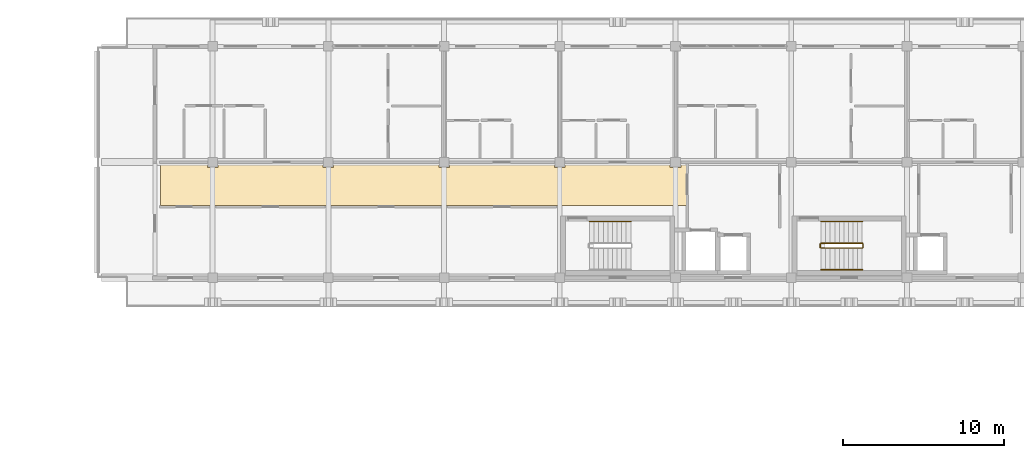
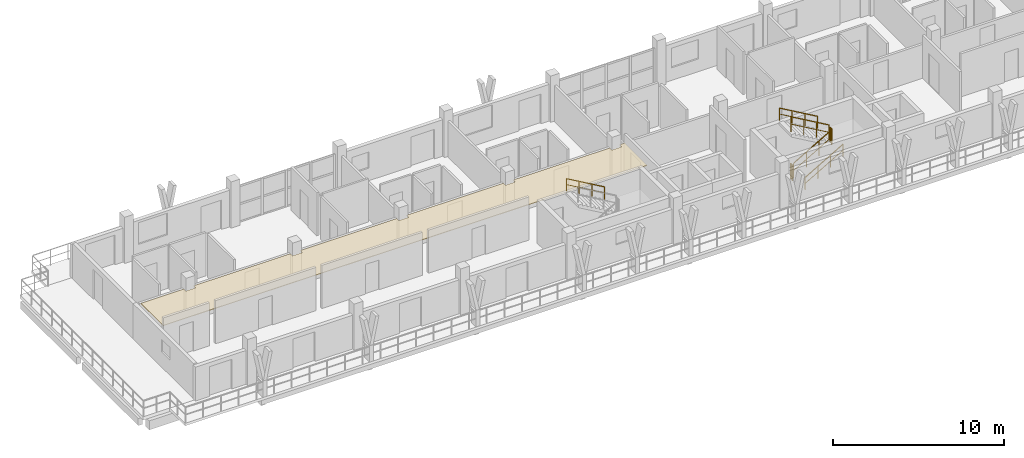
# One storey, part 52 of 60: 7 railings, 1 covering.
"""IFC4 building model written with IfcOpenShell, lengths in metres."""

from ifc_helpers import new_model, si_unit, direction, frame, origin, origin_2d, place, context, subcontext, project, spatial, polyline, rectangle, outline, extrude, material, layer, layer_set, type_object, element, save


model = new_model("IFC4")

# Units and contexts
model_context = context("Model", 3, precision=1e-05, world=origin(), true_north=direction((0.0, 1.0)))
body_context = subcontext(model_context, "Body", "Model", "MODEL_VIEW")
ifc_project = project(units=[si_unit("LENGTHUNIT", "METRE"), si_unit("AREAUNIT", "SQUARE_METRE"), si_unit("VOLUMEUNIT", "CUBIC_METRE"), si_unit("PLANEANGLEUNIT", "RADIAN"), si_unit("MASSUNIT", "GRAM", prefix="KILO")], contexts=[model_context])

# Site, building, storey
site_placement = place(None, origin())
site = spatial("IfcSite", under=ifc_project, at=site_placement, CompositionType="ELEMENT")
building_placement = place(site_placement, origin())
building = spatial("IfcBuilding", under=site, at=building_placement, Name="Suanplinth Sawtooth Commons", CompositionType="ELEMENT")
storey_placement = place(building_placement, frame((0.0, 0.0, 31.5)))
storey = spatial("IfcBuildingStorey", under=building, at=storey_placement, Name="L09", CompositionType="ELEMENT", Elevation=31.5)

# Covering
ifc_material_1 = material(Name="Mineral fibre acoustic tile")
ifc_layer = layer(ifc_material_1, 0.0400390625, Name="Perforated mineral-fibre acoustic suspended ceiling")
ifc_layer_set = layer_set([ifc_layer], Name="Mineral fibre acoustic tile")
covering_type = type_object("IfcCoveringType", Name="CV-CE01", PredefinedType="CEILING", material=ifc_layer_set)
covering_placement = place(storey_placement, frame((0.0, 0.0, 2.3798828125)))
element("IfcCovering", 1, at=covering_placement, inside=storey, type_object=covering_type, Name="L09 Block A Corridor Acoustic Ceiling", PredefinedType="CEILING", context=body_context, shape_type="SweptSolid", body=[
    extrude(outline(polyline([(18.360107421875, 112.5), (18.360107421875, 115.1201171875), (21.27001953125, 115.1201171875), (21.27001953125, 114.8701171875), (21.929931640625, 114.8701171875), (21.929931640625, 115.1201171875), (28.469970703125, 115.1201171875), (28.469970703125, 114.8701171875), (29.1298828125, 114.8701171875), (29.1298828125, 115.1201171875), (35.669921875, 115.1201171875), (35.669921875, 114.8701171875), (36.330078125, 114.8701171875), (36.330078125, 115.1201171875), (42.8701171875, 115.1201171875), (42.8701171875, 114.8701171875), (43.530029296875, 114.8701171875), (43.530029296875, 115.1201171875), (50.070068359375, 115.1201171875), (50.070068359375, 114.8701171875), (50.72998046875, 114.8701171875), (50.72998046875, 115.1201171875), (51.080078125, 115.1201171875), (51.080078125, 112.5), (18.360107421875, 112.5)])), origin(), (0.0, 0.0, 1.0), 0.0400390625),
])

# Railings
ifc_material_2 = material(Name="Stainless steel Grade 304", Category="steel")
railing_type_1 = type_object("IfcRailingType", Name="GR-04", PredefinedType="GUARDRAIL", material=ifc_material_2)
railing_1_placement = place(storey_placement, frame((59.449951171875, 109.85009765625, 0.1650390625)))
element("IfcRailing", 2, at=railing_1_placement, inside=storey, type_object=railing_type_1, Name="L09 ST-N2 Guard 1", PredefinedType="GUARDRAIL", context=body_context, shape_type="SweptSolid", body=[
    extrude(rectangle(XDim=0.048095703125, YDim=0.048095703125, at=origin_2d()), frame((0.0, 0.0, 1.076171875), z_axis=(0.865441324677, 0.0, 0.50101029285), x_axis=(0.0, 1.0, 0.0)), (0.0, 0.0, 1.0), 2.963623046875),
    extrude(rectangle(XDim=0.03369140625, YDim=0.03369140625, at=origin_2d()), frame((0.0, 0.0, 0.550048828125), z_axis=(0.865441324677, 0.0, 0.50101029285), x_axis=(0.0, 1.0, 0.0)), (0.0, 0.0, 1.0), 2.963623046875),
    extrude(rectangle(XDim=0.0419921875, YDim=0.0419921875, at=origin_2d()), origin(), (0.0, 0.0, 1.0), 1.052001953125),
    extrude(rectangle(XDim=0.0419921875, YDim=0.0419921875, at=origin_2d()), frame((0.85498046875, 0.0, 0.494873046875)), (0.0, 0.0, 1.0), 1.052001953125),
    extrude(rectangle(XDim=0.0419921875, YDim=0.0419921875, at=origin_2d()), frame((1.7099609375, 0.0, 0.989990234375)), (0.0, 0.0, 1.0), 1.052001953125),
    extrude(rectangle(XDim=0.0419921875, YDim=0.0419921875, at=origin_2d()), frame((2.56494140625, 0.0, 1.48486328125)), (0.0, 0.0, 1.0), 1.052001953125),
])
railing_2_placement = place(storey_placement, frame((62.06494140625, 109.89990234375, 1.64990234375)))
element("IfcRailing", 3, at=railing_2_placement, inside=storey, type_object=railing_type_1, Name="L09 ST-N2 Guard 2", PredefinedType="GUARDRAIL", context=body_context, shape_type="SweptSolid", body=[
    extrude(rectangle(XDim=0.048095703125, YDim=0.048095703125, at=origin_2d()), frame((0.0, 0.0, 1.076171875), z_axis=(0.0, 1.0, 0.0), x_axis=(-1.0, 0.0, 0.0)), (0.0, 0.0, 1.0), 0.2001953125),
    extrude(rectangle(XDim=0.03369140625, YDim=0.03369140625, at=origin_2d()), frame((0.0, 0.0, 0.550048828125), z_axis=(0.0, 1.0, 0.0), x_axis=(-1.0, 0.0, 0.0)), (0.0, 0.0, 1.0), 0.2001953125),
    extrude(rectangle(XDim=0.0419921875, YDim=0.0419921875, at=origin_2d()), origin(), (0.0, 0.0, 1.0), 1.052001953125),
    extrude(rectangle(XDim=0.0419921875, YDim=0.0419921875, at=origin_2d()), frame((0.0, 0.2001953125, 0.0)), (0.0, 0.0, 1.0), 1.052001953125),
])
railing_3_placement = place(storey_placement, frame((62.014892578125, 110.14990234375, 1.81494140625)))
element("IfcRailing", 4, at=railing_3_placement, inside=storey, type_object=railing_type_1, Name="L09 ST-N2 Guard 3", PredefinedType="GUARDRAIL", context=body_context, shape_type="SweptSolid", body=[
    extrude(rectangle(XDim=0.048095703125, YDim=0.048095703125, at=origin_2d()), frame((0.0, 0.0, 1.076171875), z_axis=(-0.865405606168, 0.0, 0.501071987656), x_axis=(0.0, -1.0, 0.0)), (0.0, 0.0, 1.0), 2.9638671875),
    extrude(rectangle(XDim=0.03369140625, YDim=0.03369140625, at=origin_2d()), frame((0.0, 0.0, 0.550048828125), z_axis=(-0.865405606168, 0.0, 0.501071987656), x_axis=(0.0, -1.0, 0.0)), (0.0, 0.0, 1.0), 2.9638671875),
    extrude(rectangle(XDim=0.0419921875, YDim=0.0419921875, at=origin_2d()), origin(), (0.0, 0.0, 1.0), 1.052001953125),
    extrude(rectangle(XDim=0.0419921875, YDim=0.0419921875, at=origin_2d()), frame((-0.85498046875, 0.0, 0.4951171875)), (0.0, 0.0, 1.0), 1.052001953125),
    extrude(rectangle(XDim=0.0419921875, YDim=0.0419921875, at=origin_2d()), frame((-1.7099609375, 0.0, 0.989990234375)), (0.0, 0.0, 1.0), 1.052001953125),
    extrude(rectangle(XDim=0.0419921875, YDim=0.0419921875, at=origin_2d()), frame((-2.56494140625, 0.0, 1.485107421875)), (0.0, 0.0, 1.0), 1.052001953125),
])
railing_4_placement = place(storey_placement, frame((59.39990234375, 109.89990234375, 0.0)))
element("IfcRailing", 5, at=railing_4_placement, inside=storey, type_object=railing_type_1, Name="L09 ST-N2 Guard 4", PredefinedType="GUARDRAIL", context=body_context, shape_type="SweptSolid", body=[
    extrude(rectangle(XDim=0.048095703125, YDim=0.048095703125, at=origin_2d()), frame((0.0, 0.0, 1.076171875), z_axis=(0.0, 1.0, 0.0), x_axis=(-1.0, 0.0, 0.0)), (0.0, 0.0, 1.0), 0.2001953125),
    extrude(rectangle(XDim=0.03369140625, YDim=0.03369140625, at=origin_2d()), frame((0.0, 0.0, 0.550048828125), z_axis=(0.0, 1.0, 0.0), x_axis=(-1.0, 0.0, 0.0)), (0.0, 0.0, 1.0), 0.2001953125),
    extrude(rectangle(XDim=0.0419921875, YDim=0.0419921875, at=origin_2d()), origin(), (0.0, 0.0, 1.0), 1.052001953125),
    extrude(rectangle(XDim=0.0419921875, YDim=0.0419921875, at=origin_2d()), frame((0.0, 0.2001953125, 0.0)), (0.0, 0.0, 1.0), 1.052001953125),
])
railing_type_2 = type_object("IfcRailingType", Name="HR-01", PredefinedType="HANDRAIL", material=ifc_material_2)
railing_5_placement = place(storey_placement, frame((47.614990234375, 111.5, 1.81494140625)))
element("IfcRailing", 6, at=railing_5_placement, inside=storey, type_object=railing_type_2, Name="L09 ST-N1 Handrail 2", PredefinedType="HANDRAIL", context=body_context, shape_type="SweptSolid", body=[
    extrude(rectangle(XDim=0.048095703125, YDim=0.048095703125, at=origin_2d()), frame((0.0, 0.0, 0.8759765625), z_axis=(-0.865405606168, 0.0, 0.501071987656), x_axis=(0.0, -1.0, 0.0)), (0.0, 0.0, 1.0), 2.9638671875),
    extrude(rectangle(XDim=0.03369140625, YDim=0.03369140625, at=origin_2d()), frame((0.0, 0.0, 0.449951171875), z_axis=(-0.865405606168, 0.0, 0.501071987656), x_axis=(0.0, -1.0, 0.0)), (0.0, 0.0, 1.0), 2.9638671875),
    extrude(rectangle(XDim=0.0419921875, YDim=0.0419921875, at=origin_2d()), origin(), (0.0, 0.0, 1.0), 0.851806640625),
    extrude(rectangle(XDim=0.0419921875, YDim=0.0419921875, at=origin_2d()), frame((-0.85498046875, 0.0, 0.4951171875)), (0.0, 0.0, 1.0), 0.851806640625),
    extrude(rectangle(XDim=0.0419921875, YDim=0.0419921875, at=origin_2d()), frame((-1.7099609375, 0.0, 0.989990234375)), (0.0, 0.0, 1.0), 0.851806640625),
    extrude(rectangle(XDim=0.0419921875, YDim=0.0419921875, at=origin_2d()), frame((-2.56494140625, 0.0, 1.485107421875)), (0.0, 0.0, 1.0), 0.851806640625),
])
railing_6_placement = place(storey_placement, frame((59.449951171875, 108.5, 0.1650390625)))
element("IfcRailing", 7, at=railing_6_placement, inside=storey, type_object=railing_type_2, Name="L09 ST-N2 Handrail 1", PredefinedType="HANDRAIL", context=body_context, shape_type="SweptSolid", body=[
    extrude(rectangle(XDim=0.048095703125, YDim=0.048095703125, at=origin_2d()), frame((0.0, 0.0, 0.8759765625), z_axis=(0.865441324677, 0.0, 0.50101029285), x_axis=(0.0, 1.0, 0.0)), (0.0, 0.0, 1.0), 2.963623046875),
    extrude(rectangle(XDim=0.03369140625, YDim=0.03369140625, at=origin_2d()), frame((0.0, 0.0, 0.449951171875), z_axis=(0.865441324677, 0.0, 0.50101029285), x_axis=(0.0, 1.0, 0.0)), (0.0, 0.0, 1.0), 2.963623046875),
    extrude(rectangle(XDim=0.0419921875, YDim=0.0419921875, at=origin_2d()), origin(), (0.0, 0.0, 1.0), 0.851806640625),
    extrude(rectangle(XDim=0.0419921875, YDim=0.0419921875, at=origin_2d()), frame((0.85498046875, 0.0, 0.494873046875)), (0.0, 0.0, 1.0), 0.851806640625),
    extrude(rectangle(XDim=0.0419921875, YDim=0.0419921875, at=origin_2d()), frame((1.7099609375, 0.0, 0.989990234375)), (0.0, 0.0, 1.0), 0.851806640625),
    extrude(rectangle(XDim=0.0419921875, YDim=0.0419921875, at=origin_2d()), frame((2.56494140625, 0.0, 1.48486328125)), (0.0, 0.0, 1.0), 0.851806640625),
])
railing_7_placement = place(storey_placement, frame((62.014892578125, 111.5, 1.81494140625)))
element("IfcRailing", 8, at=railing_7_placement, inside=storey, type_object=railing_type_2, Name="L09 ST-N2 Handrail 2", PredefinedType="HANDRAIL", context=body_context, shape_type="SweptSolid", body=[
    extrude(rectangle(XDim=0.048095703125, YDim=0.048095703125, at=origin_2d()), frame((0.0, 0.0, 0.8759765625), z_axis=(-0.865405606168, 0.0, 0.501071987656), x_axis=(0.0, -1.0, 0.0)), (0.0, 0.0, 1.0), 2.9638671875),
    extrude(rectangle(XDim=0.03369140625, YDim=0.03369140625, at=origin_2d()), frame((0.0, 0.0, 0.449951171875), z_axis=(-0.865405606168, 0.0, 0.501071987656), x_axis=(0.0, -1.0, 0.0)), (0.0, 0.0, 1.0), 2.9638671875),
    extrude(rectangle(XDim=0.0419921875, YDim=0.0419921875, at=origin_2d()), origin(), (0.0, 0.0, 1.0), 0.851806640625),
    extrude(rectangle(XDim=0.0419921875, YDim=0.0419921875, at=origin_2d()), frame((-0.85498046875, 0.0, 0.4951171875)), (0.0, 0.0, 1.0), 0.851806640625),
    extrude(rectangle(XDim=0.0419921875, YDim=0.0419921875, at=origin_2d()), frame((-1.7099609375, 0.0, 0.989990234375)), (0.0, 0.0, 1.0), 0.851806640625),
    extrude(rectangle(XDim=0.0419921875, YDim=0.0419921875, at=origin_2d()), frame((-2.56494140625, 0.0, 1.485107421875)), (0.0, 0.0, 1.0), 0.851806640625),
])

save(model, "model.ifc")
